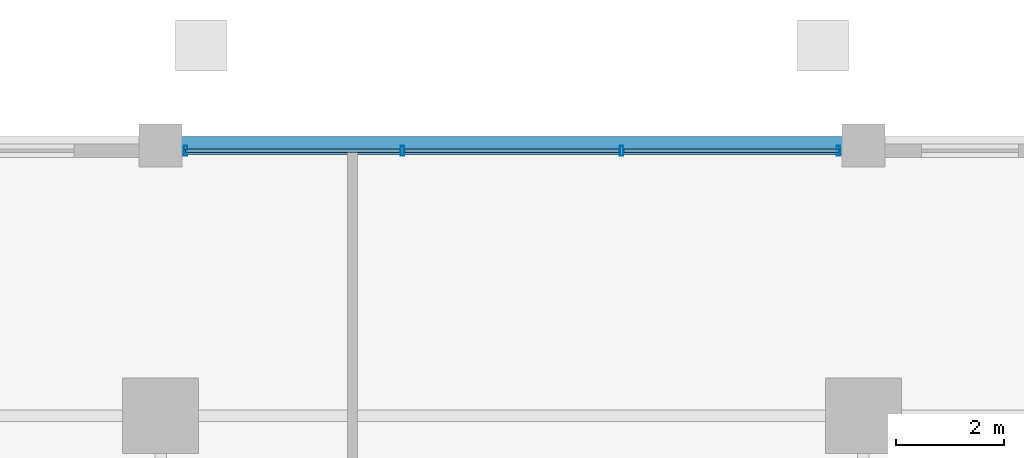
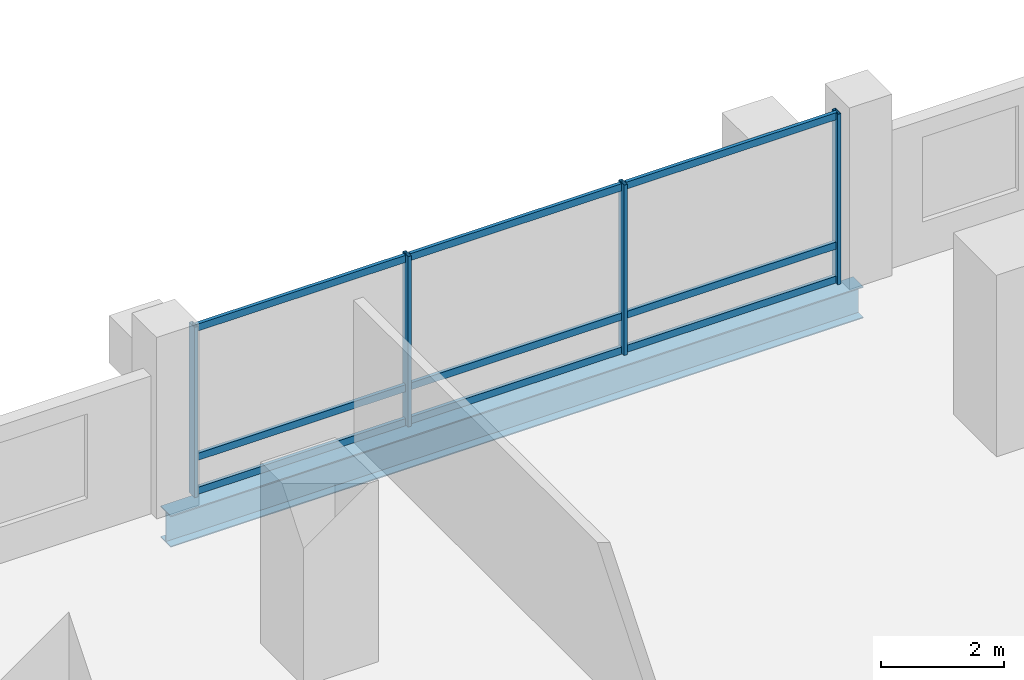
# One storey, part 13 of 23: 13 members, 1 beam, 1 element without a shape of its own.
"""IFC4 building model written with IfcOpenShell, lengths in metres."""

from ifc_helpers import new_model, si_unit, direction, frame, origin, origin_2d, place, context, subcontext, project, spatial, hollow_rectangle, i_section, extrude, material, layer, layer_set, material_profile, profile_set, type_object, element, aggregate, save


model = new_model("IFC4")

# Units and contexts
model_context = context("Model", 3, precision=1e-05, world=origin(), true_north=direction((0.0, 1.0)))
body_context = subcontext(model_context, "Body", "Model", "MODEL_VIEW")
ifc_project = project(units=[si_unit("LENGTHUNIT", "METRE"), si_unit("AREAUNIT", "SQUARE_METRE"), si_unit("VOLUMEUNIT", "CUBIC_METRE"), si_unit("PLANEANGLEUNIT", "RADIAN"), si_unit("MASSUNIT", "GRAM", prefix="KILO")], contexts=[model_context])

# Site, building, storey
site_placement = place(None, origin())
site = spatial("IfcSite", under=ifc_project, at=site_placement, CompositionType="ELEMENT")
building_placement = place(site_placement, origin())
building = spatial("IfcBuilding", under=site, at=building_placement, Name="Barlavira Tower and Art Museum", CompositionType="ELEMENT")
storey_placement = place(building_placement, frame((0.0, 0.0, 54.0)))
storey = spatial("IfcBuildingStorey", under=building, at=storey_placement, Name="L12", CompositionType="ELEMENT", Elevation=54.0)

# Curtain wall, members
ifc_material_1 = material(Name="Low-iron coastal laminated glass", Category="glass")
ifc_layer = layer(ifc_material_1, 0.179931640625, Name="Low-iron coastal laminated glass")
ifc_layer_set = layer_set([ifc_layer], Name="Low-iron coastal laminated glass")
curtain_wall_type = type_object("IfcCurtainWallType", Name="Pale-Metal Unitised Curtain Wall Zone 1", PredefinedType="NOTDEFINED", material=ifc_layer_set)
curtain_wall_placement = place(storey_placement, origin())
curtain_wall = element("IfcCurtainWall", 1, at=curtain_wall_placement, inside=storey, type_object=curtain_wall_type, Name="L12 Curtain Wall CW1-L12-N-B3", PredefinedType="NOTDEFINED")
ifc_material_2 = material(Name="Pale anodised aluminium", Category="aluminium")
ifc_material_profile_1 = material_profile(ifc_material_2, hollow_rectangle(XDim=0.06494140625, YDim=0.179931640625, WallThickness=0.00390625, at=origin_2d()), Name="ALU-MULL 65x180x4")
ifc_profile_set_1 = profile_set([ifc_material_profile_1], Name="Pale anodised aluminium")
member_type_1 = type_object("IfcMemberType", Name="Curtain Wall Pale-Metal Mullion 65x180", PredefinedType="MULLION", material=ifc_profile_set_1)
member_1_placement = place(storey_placement, frame((6.034912109375, 24.89990234375, 0.0), z_axis=(0.0, 0.0, 1.0), x_axis=(-1.0, 0.0, 0.0)))
member_1 = element("IfcMember", 2, at=member_1_placement, type_object=member_type_1, Name="CW1-L12-N-B3 Mullion 0", PredefinedType="MULLION", context=body_context, shape_type="SweptSolid", body=[
    extrude(hollow_rectangle(XDim=0.06494140625, YDim=0.179931640625, WallThickness=0.00390625, at=origin_2d()), origin(), (0.0, 0.0, 1.0), 3.3798828125),
])
member_2_placement = place(storey_placement, frame((2.026611328125, 24.89990234375, 0.0), z_axis=(0.0, 0.0, 1.0), x_axis=(-1.0, 0.0, 0.0)))
member_2 = element("IfcMember", 3, at=member_2_placement, type_object=member_type_1, Name="CW1-L12-N-B3 Mullion 1", PredefinedType="MULLION", context=body_context, shape_type="SweptSolid", body=[
    extrude(hollow_rectangle(XDim=0.06494140625, YDim=0.179931640625, WallThickness=0.00390625, at=origin_2d()), origin(), (0.0, 0.0, 1.0), 3.3798828125),
])
member_3_placement = place(storey_placement, frame((-2.026611328125, 24.89990234375, 0.0), z_axis=(0.0, 0.0, 1.0), x_axis=(-1.0, 0.0, 0.0)))
member_3 = element("IfcMember", 4, at=member_3_placement, type_object=member_type_1, Name="CW1-L12-N-B3 Mullion 2", PredefinedType="MULLION", context=body_context, shape_type="SweptSolid", body=[
    extrude(hollow_rectangle(XDim=0.06494140625, YDim=0.179931640625, WallThickness=0.00390625, at=origin_2d()), origin(), (0.0, 0.0, 1.0), 3.3798828125),
])
member_4_placement = place(storey_placement, frame((-6.034912109375, 24.89990234375, 0.0), z_axis=(0.0, 0.0, 1.0), x_axis=(-1.0, 0.0, 0.0)))
member_4 = element("IfcMember", 5, at=member_4_placement, type_object=member_type_1, Name="CW1-L12-N-B3 Mullion 3", PredefinedType="MULLION", context=body_context, shape_type="SweptSolid", body=[
    extrude(hollow_rectangle(XDim=0.06494140625, YDim=0.179931640625, WallThickness=0.00390625, at=origin_2d()), origin(), (0.0, 0.0, 1.0), 3.3798828125),
])
ifc_material_profile_2 = material_profile(ifc_material_2, hollow_rectangle(XDim=0.06494140625, YDim=0.139892578125, WallThickness=0.00390625, at=origin_2d()), Name="ALU-TRAN 65x140x4")
ifc_profile_set_2 = profile_set([ifc_material_profile_2], Name="Pale anodised aluminium")
member_type_2 = type_object("IfcMemberType", Name="Curtain Wall Pale-Metal Transom 65x140", PredefinedType="USERDEFINED", material=ifc_profile_set_2)
member_5_placement = place(storey_placement, frame((6.034912109375, 24.89990234375, 0.070068359375), z_axis=(-1.0, 0.0, 0.0), x_axis=(0.0, -1.0, 0.0)))
member_5 = element("IfcMember", 6, at=member_5_placement, type_object=member_type_2, Name="CW1-L12-N-B3 Transom 0.1", ObjectType="TRANSOM", PredefinedType="USERDEFINED", context=body_context, shape_type="SweptSolid", body=[
    extrude(hollow_rectangle(XDim=0.06494140625, YDim=0.139892578125, WallThickness=0.00390625, at=origin_2d()), origin(), (0.0, 0.0, 1.0), 3.963134765625),
])
member_6_placement = place(storey_placement, frame((6.034912109375, 24.89990234375, 0.743896484375), z_axis=(-1.0, 0.0, 0.0), x_axis=(0.0, -1.0, 0.0)))
member_6 = element("IfcMember", 7, at=member_6_placement, type_object=member_type_2, Name="CW1-L12-N-B3 Transom 0.2", ObjectType="TRANSOM", PredefinedType="USERDEFINED", context=body_context, shape_type="SweptSolid", body=[
    extrude(hollow_rectangle(XDim=0.06494140625, YDim=0.139892578125, WallThickness=0.00390625, at=origin_2d()), origin(), (0.0, 0.0, 1.0), 3.963134765625),
])
member_7_placement = place(storey_placement, frame((6.034912109375, 24.89990234375, 3.31005859375), z_axis=(-1.0, 0.0, 0.0), x_axis=(0.0, -1.0, 0.0)))
member_7 = element("IfcMember", 8, at=member_7_placement, type_object=member_type_2, Name="CW1-L12-N-B3 Transom 0.3", ObjectType="TRANSOM", PredefinedType="USERDEFINED", context=body_context, shape_type="SweptSolid", body=[
    extrude(hollow_rectangle(XDim=0.06494140625, YDim=0.139892578125, WallThickness=0.00390625, at=origin_2d()), origin(), (0.0, 0.0, 1.0), 3.963134765625),
])
member_8_placement = place(storey_placement, frame((1.981689453125, 24.89990234375, 0.070068359375), z_axis=(-1.0, 0.0, 0.0), x_axis=(0.0, -1.0, 0.0)))
member_8 = element("IfcMember", 9, at=member_8_placement, type_object=member_type_2, Name="CW1-L12-N-B3 Transom 1.1", ObjectType="TRANSOM", PredefinedType="USERDEFINED", context=body_context, shape_type="SweptSolid", body=[
    extrude(hollow_rectangle(XDim=0.06494140625, YDim=0.139892578125, WallThickness=0.00390625, at=origin_2d()), origin(), (0.0, 0.0, 1.0), 3.96337890625),
])
member_9_placement = place(storey_placement, frame((1.981689453125, 24.89990234375, 0.743896484375), z_axis=(-1.0, 0.0, 0.0), x_axis=(0.0, -1.0, 0.0)))
member_9 = element("IfcMember", 10, at=member_9_placement, type_object=member_type_2, Name="CW1-L12-N-B3 Transom 1.2", ObjectType="TRANSOM", PredefinedType="USERDEFINED", context=body_context, shape_type="SweptSolid", body=[
    extrude(hollow_rectangle(XDim=0.06494140625, YDim=0.139892578125, WallThickness=0.00390625, at=origin_2d()), origin(), (0.0, 0.0, 1.0), 3.96337890625),
])
member_10_placement = place(storey_placement, frame((1.981689453125, 24.89990234375, 3.31005859375), z_axis=(-1.0, 0.0, 0.0), x_axis=(0.0, -1.0, 0.0)))
member_10 = element("IfcMember", 11, at=member_10_placement, type_object=member_type_2, Name="CW1-L12-N-B3 Transom 1.3", ObjectType="TRANSOM", PredefinedType="USERDEFINED", context=body_context, shape_type="SweptSolid", body=[
    extrude(hollow_rectangle(XDim=0.06494140625, YDim=0.139892578125, WallThickness=0.00390625, at=origin_2d()), origin(), (0.0, 0.0, 1.0), 3.96337890625),
])
member_11_placement = place(storey_placement, frame((-2.07177734375, 24.89990234375, 0.070068359375), z_axis=(-1.0, 0.0, 0.0), x_axis=(0.0, -1.0, 0.0)))
member_11 = element("IfcMember", 12, at=member_11_placement, type_object=member_type_2, Name="CW1-L12-N-B3 Transom 2.1", ObjectType="TRANSOM", PredefinedType="USERDEFINED", context=body_context, shape_type="SweptSolid", body=[
    extrude(hollow_rectangle(XDim=0.06494140625, YDim=0.139892578125, WallThickness=0.00390625, at=origin_2d()), origin(), (0.0, 0.0, 1.0), 3.963134765625),
])
member_12_placement = place(storey_placement, frame((-2.07177734375, 24.89990234375, 0.743896484375), z_axis=(-1.0, 0.0, 0.0), x_axis=(0.0, -1.0, 0.0)))
member_12 = element("IfcMember", 13, at=member_12_placement, type_object=member_type_2, Name="CW1-L12-N-B3 Transom 2.2", ObjectType="TRANSOM", PredefinedType="USERDEFINED", context=body_context, shape_type="SweptSolid", body=[
    extrude(hollow_rectangle(XDim=0.06494140625, YDim=0.139892578125, WallThickness=0.00390625, at=origin_2d()), origin(), (0.0, 0.0, 1.0), 3.963134765625),
])
member_13_placement = place(storey_placement, frame((-2.07177734375, 24.89990234375, 3.31005859375), z_axis=(-1.0, 0.0, 0.0), x_axis=(0.0, -1.0, 0.0)))
member_13 = element("IfcMember", 14, at=member_13_placement, type_object=member_type_2, Name="CW1-L12-N-B3 Transom 2.3", ObjectType="TRANSOM", PredefinedType="USERDEFINED", context=body_context, shape_type="SweptSolid", body=[
    extrude(hollow_rectangle(XDim=0.06494140625, YDim=0.139892578125, WallThickness=0.00390625, at=origin_2d()), origin(), (0.0, 0.0, 1.0), 3.963134765625),
])
aggregate(curtain_wall, [member_1, member_2, member_3, member_4, member_5, member_6, member_7, member_8, member_9, member_10, member_11, member_12, member_13])

# Beam
ifc_material_3 = material(Name="Steel S355", Category="steel")
ifc_material_profile_3 = material_profile(ifc_material_3, i_section(OverallWidth=0.327880859375, OverallDepth=0.62890625, WebThickness=0.013916015625, FlangeThickness=0.021484375, at=origin_2d()), Name="W610x174.0")
ifc_profile_set_3 = profile_set([ifc_material_profile_3], Name="Steel S355")
beam_type = type_object("IfcBeamType", Name="Perimeter Spandrel Edge Beam W610x174 Steel S355", PredefinedType="SPANDREL", material=ifc_profile_set_3)
beam_placement = place(storey_placement, frame((-6.5, 25.0, -0.534423828125), z_axis=(1.0, 0.0, 0.0), x_axis=(0.0, 1.0, 0.0)))
element("IfcBeam", 15, at=beam_placement, inside=storey, type_object=beam_type, Name="L12 Spandrel 10", PredefinedType="SPANDREL", context=body_context, shape_type="SweptSolid", body=[
    extrude(i_section(OverallWidth=0.327880859375, OverallDepth=0.62890625, WebThickness=0.013916015625, FlangeThickness=0.021484375, at=origin_2d()), origin(), (0.0, 0.0, 1.0), 13.0),
])

save(model, "model.ifc")
